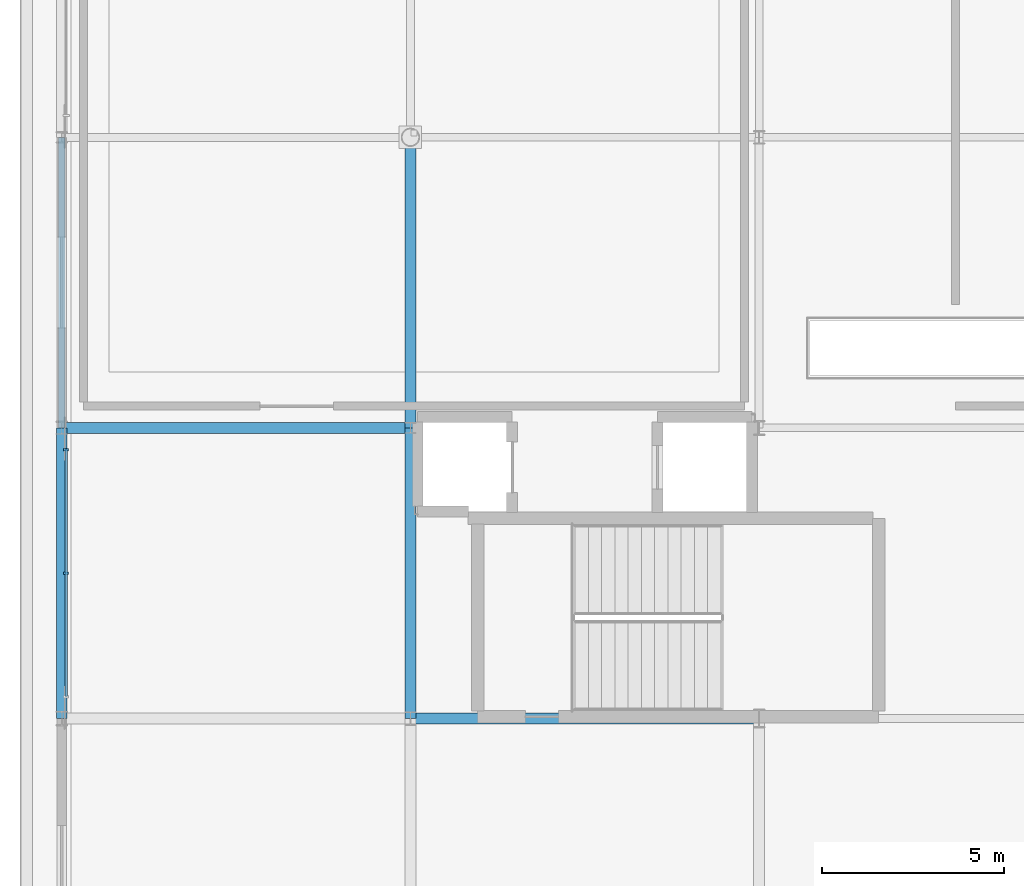
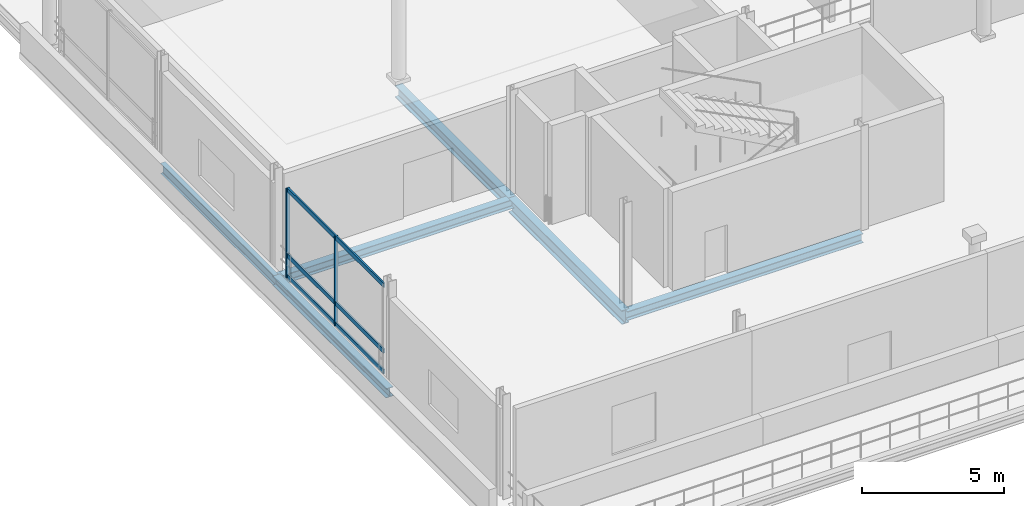
# One storey, part 8 of 36: 6 beams, 5 members, 1 element without a shape of its own.
"""IFC4 building model written with IfcOpenShell, lengths in metres."""

from ifc_helpers import new_model, si_unit, direction, frame, origin, origin_2d, place, context, subcontext, project, spatial, rectangle, i_section, extrude, material, material_profile, profile_set, type_object, element, aggregate, save


model = new_model("IFC4")

# Units and contexts
model_context = context("Model", 3, precision=1e-05, world=origin(), true_north=direction((0.0, 1.0)))
body_context = subcontext(model_context, "Body", "Model", "MODEL_VIEW")
ifc_project = project(units=[si_unit("LENGTHUNIT", "METRE"), si_unit("AREAUNIT", "SQUARE_METRE"), si_unit("VOLUMEUNIT", "CUBIC_METRE"), si_unit("PLANEANGLEUNIT", "RADIAN"), si_unit("MASSUNIT", "GRAM", prefix="KILO")], contexts=[model_context])

# Site, building, storey
site_placement = place(None, origin())
site = spatial("IfcSite", under=ifc_project, at=site_placement, CompositionType="ELEMENT")
building_placement = place(site_placement, origin())
building = spatial("IfcBuilding", under=site, at=building_placement, Name="Danafjord Basin Convention Centre", CompositionType="ELEMENT")
storey_placement = place(building_placement, frame((0.0, 0.0, 20.39990234375)))
storey = spatial("IfcBuildingStorey", under=building, at=storey_placement, Name="L04", CompositionType="ELEMENT", Elevation=20.39990234375)

# Beams
ifc_material_1 = material(Name="Steel S355", Category="steel")
ifc_material_profile_1 = material_profile(ifc_material_1, i_section(OverallWidth=0.300048828125, OverallDepth=0.389892578125, WebThickness=0.010986328125, FlangeThickness=0.01904296875, FilletRadius=0.027099609375, at=origin_2d()), Name="HEA 400")
ifc_profile_set_1 = profile_set([ifc_material_profile_1], Name="Steel S355")
beam_type_1 = type_object("IfcBeamType", Name="BEAM-BM-HEA400", PredefinedType="BEAM", material=ifc_profile_set_1)
beam_1_placement = place(storey_placement, frame((0.0, 24.0, -0.4189453125), z_axis=(1.0, 0.0, 0.0), x_axis=(0.0, 1.0, 0.0)))
element("IfcBeam", 1, at=beam_1_placement, inside=storey, type_object=beam_type_1, Name="L04 girder BM-HEA400", PredefinedType="BEAM", context=body_context, shape_type="SweptSolid", body=[
    extrude(i_section(OverallWidth=0.300048828125, OverallDepth=0.389892578125, WebThickness=0.010986328125, FlangeThickness=0.01904296875, FilletRadius=0.027099609375, at=origin_2d()), origin(), (0.0, 0.0, 1.0), 9.60009765625),
])
beam_2_placement = place(storey_placement, frame((9.60009765625, 16.0, -0.4189453125), z_axis=(1.0, 0.0, 0.0), x_axis=(0.0, 1.0, 0.0)))
element("IfcBeam", 2, at=beam_2_placement, inside=storey, type_object=beam_type_1, Name="L04 girder BM-HEA400", PredefinedType="BEAM", context=body_context, shape_type="SweptSolid", body=[
    extrude(i_section(OverallWidth=0.300048828125, OverallDepth=0.389892578125, WebThickness=0.010986328125, FlangeThickness=0.01904296875, FilletRadius=0.027099609375, at=origin_2d()), origin(), (0.0, 0.0, 1.0), 9.599853515625),
])
ifc_material_profile_2 = material_profile(ifc_material_1, i_section(OverallWidth=0.300048828125, OverallDepth=0.5, WebThickness=0.014404296875, FlangeThickness=0.028076171875, FilletRadius=0.027099609375, at=origin_2d()), Name="HEB 500")
ifc_profile_set_2 = profile_set([ifc_material_profile_2], Name="Steel S355")
beam_type_2 = type_object("IfcBeamType", Name="BEAM-BM-HEB500", PredefinedType="BEAM", material=ifc_profile_set_2)
beam_3_placement = place(storey_placement, frame((9.60009765625, 24.0, -0.473876953125), z_axis=(0.0, 1.0, 0.0), x_axis=(-1.0, 0.0, 0.0)))
element("IfcBeam", 3, at=beam_3_placement, inside=storey, type_object=beam_type_2, Name="L04 transverse girder BM-HEB500", PredefinedType="BEAM", context=body_context, shape_type="SweptSolid", body=[
    extrude(i_section(OverallWidth=0.300048828125, OverallDepth=0.5, WebThickness=0.014404296875, FlangeThickness=0.028076171875, FilletRadius=0.027099609375, at=origin_2d()), origin(), (0.0, 0.0, 1.0), 8.0),
])
ifc_material_profile_3 = material_profile(ifc_material_1, i_section(OverallWidth=0.300048828125, OverallDepth=0.60009765625, WebThickness=0.015380859375, FlangeThickness=0.030029296875, FilletRadius=0.027099609375, at=origin_2d()), Name="HEB 600")
ifc_profile_set_3 = profile_set([ifc_material_profile_3], Name="Steel S355")
beam_type_3 = type_object("IfcBeamType", Name="BEAM-BM-HEB600", PredefinedType="BEAM", material=ifc_profile_set_3)
beam_4_placement = place(storey_placement, frame((9.60009765625, 16.0, -0.52392578125), z_axis=(0.0, 1.0, 0.0), x_axis=(-1.0, 0.0, 0.0)))
element("IfcBeam", 4, at=beam_4_placement, inside=storey, type_object=beam_type_3, Name="L04 transverse girder BM-HEB600", PredefinedType="BEAM", context=body_context, shape_type="SweptSolid", body=[
    extrude(i_section(OverallWidth=0.300048828125, OverallDepth=0.60009765625, WebThickness=0.015380859375, FlangeThickness=0.030029296875, FilletRadius=0.027099609375, at=origin_2d()), origin(), (0.0, 0.0, 1.0), 8.0),
])
ifc_material_profile_4 = material_profile(ifc_material_1, i_section(OverallWidth=0.300048828125, OverallDepth=0.39990234375, WebThickness=0.013427734375, FlangeThickness=0.02392578125, FilletRadius=0.027099609375, at=origin_2d()), Name="HEB 400")
ifc_profile_set_4 = profile_set([ifc_material_profile_4], Name="Steel S355")
beam_type_4 = type_object("IfcBeamType", Name="BEAM-SP-HEB400", PredefinedType="SPANDREL", material=ifc_profile_set_4)
beam_5_placement = place(storey_placement, frame((0.0, 16.0, -0.423828125), z_axis=(0.0, 1.0, 0.0), x_axis=(-1.0, 0.0, 0.0)))
element("IfcBeam", 5, at=beam_5_placement, inside=storey, type_object=beam_type_4, Name="L04 transverse girder SP-HEB400", PredefinedType="SPANDREL", context=body_context, shape_type="SweptSolid", body=[
    extrude(i_section(OverallWidth=0.300048828125, OverallDepth=0.39990234375, WebThickness=0.013427734375, FlangeThickness=0.02392578125, FilletRadius=0.027099609375, at=origin_2d()), origin(), (0.0, 0.0, 1.0), 8.0),
])
ifc_material_profile_5 = material_profile(ifc_material_1, i_section(OverallWidth=0.18994140625, OverallDepth=0.449951171875, WebThickness=0.009521484375, FlangeThickness=0.0146484375, FilletRadius=0.02099609375, at=origin_2d()), Name="IPE 450")
ifc_profile_set_5 = profile_set([ifc_material_profile_5], Name="Steel S355")
beam_type_5 = type_object("IfcBeamType", Name="BEAM-SP-IPE450", PredefinedType="SPANDREL", material=ifc_profile_set_5)
beam_6_placement = place(storey_placement, frame((0.0, 24.0, -0.448974609375), z_axis=(0.0, 1.0, 0.0), x_axis=(-1.0, 0.0, 0.0)))
element("IfcBeam", 6, at=beam_6_placement, inside=storey, type_object=beam_type_5, Name="L04 transverse girder SP-IPE450", PredefinedType="SPANDREL", context=body_context, shape_type="SweptSolid", body=[
    extrude(i_section(OverallWidth=0.18994140625, OverallDepth=0.449951171875, WebThickness=0.009521484375, FlangeThickness=0.0146484375, FilletRadius=0.02099609375, at=origin_2d()), origin(), (0.0, 0.0, 1.0), 8.0),
])

# Curtain wall, members
ifc_material_2 = material(Name="Anodised aluminium and triple glazing", Category="aluminium")
curtain_wall_type = type_object("IfcCurtainWallType", Name="CW-CW-TERR", PredefinedType="NOTDEFINED", material=ifc_material_2)
curtain_wall_placement = place(storey_placement, origin())
curtain_wall = element("IfcCurtainWall", 7, at=curtain_wall_placement, inside=storey, type_object=curtain_wall_type, Name="L04 CW-TERR unitised curtain wall bay 95", PredefinedType="NOTDEFINED")
ifc_material_3 = material(Name="Anodised aluminium EN AW-6060", Category="aluminium")
ifc_material_profile_6 = material_profile(ifc_material_3, rectangle(XDim=0.06005859375, YDim=0.139892578125, at=origin_2d()), Name="MULL 60x140")
ifc_profile_set_6 = profile_set([ifc_material_profile_6], Name="Anodised aluminium EN AW-6060")
member_type_1 = type_object("IfcMemberType", Name="MEM-ML-140", PredefinedType="MULLION", material=ifc_profile_set_6)
member_1_placement = place(storey_placement, frame((0.1201171875, 23.39990234375, -0.02490234375), z_axis=(0.0, 0.0, 1.0), x_axis=(0.0, -1.0, 0.0)))
member_1 = element("IfcMember", 8, at=member_1_placement, type_object=member_type_1, Name="CW-L04-095 mullion 1", PredefinedType="MULLION", context=body_context, shape_type="SweptSolid", body=[
    extrude(rectangle(XDim=0.06005859375, YDim=0.139892578125, at=origin_2d()), origin(), (0.0, 0.0, 1.0), 3.875),
])
member_2_placement = place(storey_placement, frame((0.1201171875, 20.0, -0.02490234375), z_axis=(0.0, 0.0, 1.0), x_axis=(0.0, -1.0, 0.0)))
member_2 = element("IfcMember", 9, at=member_2_placement, type_object=member_type_1, Name="CW-L04-095 mullion 2", PredefinedType="MULLION", context=body_context, shape_type="SweptSolid", body=[
    extrude(rectangle(XDim=0.06005859375, YDim=0.139892578125, at=origin_2d()), origin(), (0.0, 0.0, 1.0), 3.875),
])
ifc_material_profile_7 = material_profile(ifc_material_3, rectangle(XDim=0.06494140625, YDim=0.18994140625, at=origin_2d()), Name="TRAN 65x190")
ifc_profile_set_7 = profile_set([ifc_material_profile_7], Name="Anodised aluminium EN AW-6060")
member_type_2 = type_object("IfcMemberType", Name="MEM-TR-190", PredefinedType="USERDEFINED", material=ifc_profile_set_7)
member_3_placement = place(storey_placement, frame((0.1201171875, 23.39990234375, 0.06005859375), z_axis=(0.0, -1.0, 0.0), x_axis=(1.0, 0.0, 0.0)))
member_3 = element("IfcMember", 10, at=member_3_placement, type_object=member_type_2, Name="CW-L04-095 transom 1", ObjectType="TRANSOM", PredefinedType="USERDEFINED", context=body_context, shape_type="SweptSolid", body=[
    extrude(rectangle(XDim=0.06494140625, YDim=0.18994140625, at=origin_2d()), origin(), (0.0, 0.0, 1.0), 6.7998046875),
])
member_4_placement = place(storey_placement, frame((0.1201171875, 23.39990234375, 0.9501953125), z_axis=(0.0, -1.0, 0.0), x_axis=(1.0, 0.0, 0.0)))
member_4 = element("IfcMember", 11, at=member_4_placement, type_object=member_type_2, Name="CW-L04-095 transom 2", ObjectType="TRANSOM", PredefinedType="USERDEFINED", context=body_context, shape_type="SweptSolid", body=[
    extrude(rectangle(XDim=0.06494140625, YDim=0.18994140625, at=origin_2d()), origin(), (0.0, 0.0, 1.0), 6.7998046875),
])
member_5_placement = place(storey_placement, frame((0.1201171875, 23.39990234375, 3.780029296875), z_axis=(0.0, -1.0, 0.0), x_axis=(1.0, 0.0, 0.0)))
member_5 = element("IfcMember", 12, at=member_5_placement, type_object=member_type_2, Name="CW-L04-095 transom 3", ObjectType="TRANSOM", PredefinedType="USERDEFINED", context=body_context, shape_type="SweptSolid", body=[
    extrude(rectangle(XDim=0.06494140625, YDim=0.18994140625, at=origin_2d()), origin(), (0.0, 0.0, 1.0), 6.7998046875),
])
aggregate(curtain_wall, [member_1, member_2, member_3, member_4, member_5])

save(model, "model.ifc")
